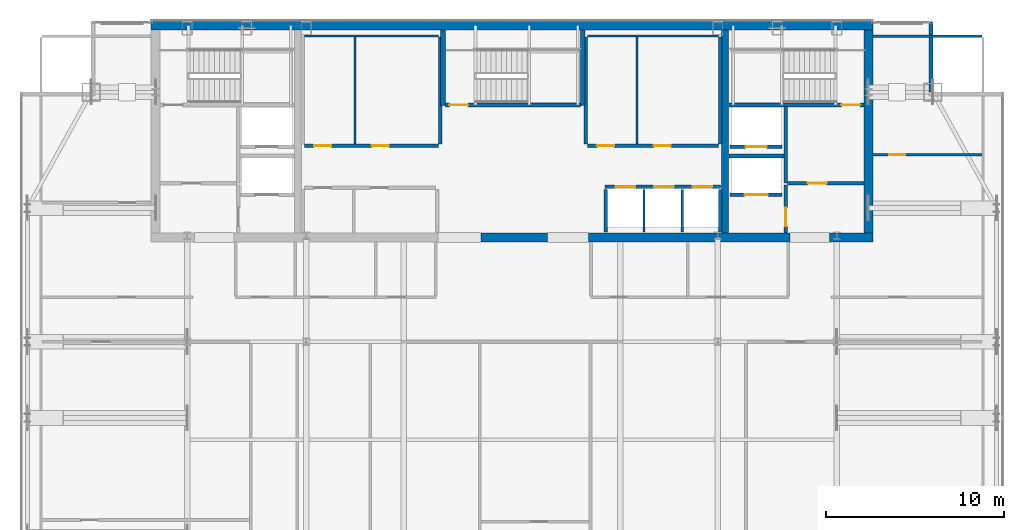
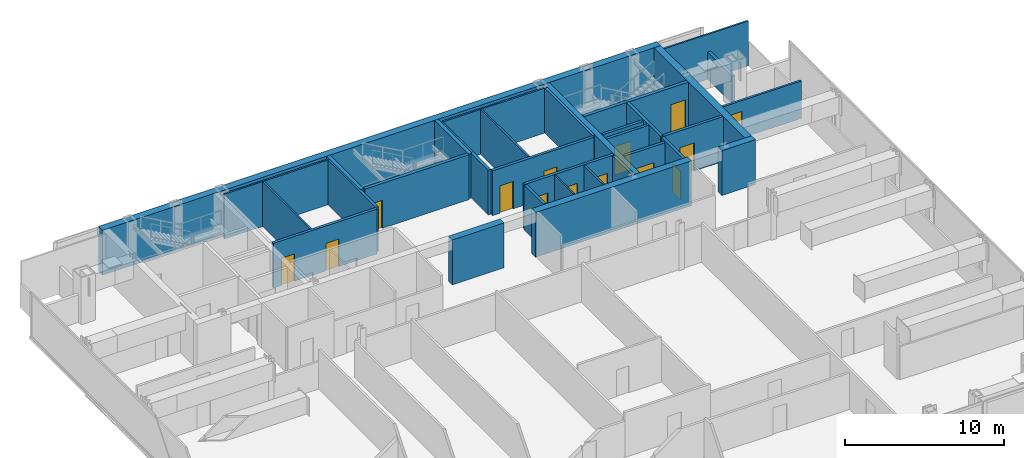
# One storey, part 23 of 26: 33 walls, 14 doors, 14 openings.
"""IFC4 building model written with IfcOpenShell, lengths in metres."""

from ifc_helpers import new_model, si_unit, direction, frame, frame_2d, origin, place, context, subcontext, project, spatial, rectangle, extrude, material, layer, layer_set, type_object, element, fill, save


model = new_model("IFC4")

# Units and contexts
model_context = context("Model", 3, precision=1e-05, world=origin(), true_north=direction((0.0, 1.0)))
body_context = subcontext(model_context, "Body", "Model", "MODEL_VIEW")
ifc_project = project(units=[si_unit("LENGTHUNIT", "METRE"), si_unit("AREAUNIT", "SQUARE_METRE"), si_unit("VOLUMEUNIT", "CUBIC_METRE"), si_unit("PLANEANGLEUNIT", "RADIAN"), si_unit("MASSUNIT", "GRAM", prefix="KILO")], contexts=[model_context])

# Site, building, storey
site_placement = place(None, origin())
site = spatial("IfcSite", under=ifc_project, at=site_placement, CompositionType="ELEMENT")
building_placement = place(site_placement, origin())
building = spatial("IfcBuilding", under=site, at=building_placement, Name="Khoronbel Lancet Exchange", CompositionType="ELEMENT")
storey_placement = place(building_placement, frame((0.0, 0.0, 287.800048828125)))
storey = spatial("IfcBuildingStorey", under=building, at=storey_placement, Name="L74", CompositionType="ELEMENT", Elevation=287.800048828125)

# Walls
ifc_material_1 = material(Name="Concrete C60/75", Category="concrete")
ifc_layer_1 = layer(ifc_material_1, 0.5, Name="Concrete C60/75")
ifc_layer_set_1 = layer_set([ifc_layer_1], Name="Concrete C60/75")
wall_type_1 = type_object("IfcWallType", Name="WL-CW4", PredefinedType="SHEAR", material=ifc_layer_set_1)
wall_1_placement = place(storey_placement, frame((16.199951171875, 53.449951171875, 0.0), z_axis=(0.0, 0.0, 1.0), x_axis=(1.0, 0.0, 0.0)))
element("IfcWall", 1, at=wall_1_placement, inside=storey, type_object=wall_type_1, Name="Level L74 rear core north shear wall", PredefinedType="SHEAR", context=body_context, shape_type="SweptSolid", body=[
    extrude(rectangle(XDim=40.5, YDim=0.5, at=frame_2d((20.25, 0.0))), origin(), (0.0, 0.0, 1.0), 3.43994140625),
])
wall_2_placement = place(storey_placement, frame((56.449951171875, 53.199951171875, 0.0), z_axis=(0.0, 0.0, 1.0), x_axis=(0.0, -1.0, 0.0)))
element("IfcWall", 2, at=wall_2_placement, inside=storey, type_object=wall_type_1, Name="Level L74 rear core east shear wall", PredefinedType="SHEAR", context=body_context, shape_type="SweptSolid", body=[
    extrude(rectangle(XDim=11.39990234375, YDim=0.5, at=frame_2d((5.699951171875, 0.0))), origin(), (0.0, 0.0, 1.0), 3.43994140625),
])
wall_3_placement = place(storey_placement, frame((38.449951171875, 41.550048828125, 0.0), z_axis=(0.0, 0.0, 1.0), x_axis=(-1.0, 0.0, 0.0)))
element("IfcWall", 3, at=wall_3_placement, inside=storey, type_object=wall_type_1, Name="Level L74 rear core south shear wall pier P3", PredefinedType="SHEAR", context=body_context, shape_type="SweptSolid", body=[
    extrude(rectangle(XDim=3.75, YDim=0.5, at=frame_2d((1.875, 0.0))), origin(), (0.0, 0.0, 1.0), 3.43994140625),
])
wall_4_placement = place(storey_placement, frame((52.050048828125, 41.550048828125, 0.0), z_axis=(0.0, 0.0, 1.0), x_axis=(-1.0, 0.0, 0.0)))
element("IfcWall", 4, at=wall_4_placement, inside=storey, type_object=wall_type_1, Name="Level L74 rear core south shear wall pier P4", PredefinedType="SHEAR", context=body_context, shape_type="SweptSolid", body=[
    extrude(rectangle(XDim=11.300048828125, YDim=0.5, at=frame_2d((5.64990234375, 0.0))), origin(), (0.0, 0.0, 1.0), 3.43994140625),
])
wall_5_placement = place(storey_placement, frame((56.699951171875, 41.550048828125, 0.0), z_axis=(0.0, 0.0, 1.0), x_axis=(-1.0, 0.0, 0.0)))
element("IfcWall", 5, at=wall_5_placement, inside=storey, type_object=wall_type_1, Name="Level L74 rear core south shear wall pier P5", PredefinedType="SHEAR", context=body_context, shape_type="SweptSolid", body=[
    extrude(rectangle(XDim=2.449951171875, YDim=0.5, at=frame_2d((1.22509765625, 0.0))), origin(), (0.0, 0.0, 1.0), 3.43994140625),
])
ifc_material_2 = material(Name="Precast concrete C40/50", Category="concrete")
ifc_layer_2 = layer(ifc_material_2, 0.25, Name="Precast concrete C40/50")
ifc_layer_set_2 = layer_set([ifc_layer_2], Name="Precast concrete C40/50")
wall_type_2 = type_object("IfcWallType", Name="WL-EXT250", PredefinedType="SOLIDWALL", material=ifc_layer_set_2)
wall_6_placement = place(storey_placement, frame((59.9599609375, 53.6298828125, 0.0), z_axis=(0.0, 0.0, 1.0), x_axis=(0.0, -1.0, 0.0)))
element("IfcWall", 6, at=wall_6_placement, inside=storey, type_object=wall_type_2, Name="Level L74 notched-corner limestone pier 07", PredefinedType="SOLIDWALL", context=body_context, shape_type="SweptSolid", body=[
    extrude(rectangle(XDim=3.909912109375, YDim=0.219970703125, at=frame_2d((1.955078125, 0.0))), origin(), (0.0, 0.0, 1.0), 2.08984375),
])

# Wall, opening, door
ifc_material_3 = material(Name="Acoustic Metal-Stud & Mineral-Wool Gypsum Partition 120 mm", Category="gypsum")
ifc_layer_3 = layer(ifc_material_3, 0.1201171875, Name="Acoustic Metal-Stud & Mineral-Wool Gypsum Partition 120 mm")
ifc_layer_set_3 = layer_set([ifc_layer_3], Name="Acoustic Metal-Stud & Mineral-Wool Gypsum Partition 120 mm")
wall_type_3 = type_object("IfcWallType", Name="WL-PRT120", PredefinedType="PARTITIONING", material=ifc_layer_set_3)
wall_7_placement = place(storey_placement, frame((56.699951171875, 46.199951171875, 0.0), z_axis=(0.0, 0.0, 1.0), x_axis=(1.0, 0.0, 0.0)))
wall_7 = element("IfcWall", 7, at=wall_7_placement, inside=storey, type_object=wall_type_3, Name="Level L74 interior partition PW-NE-H", PredefinedType="PARTITIONING", context=body_context, shape_type="SweptSolid", body=[
    extrude(rectangle(XDim=6.10498046875, YDim=0.14990234375, at=frame_2d((3.052490234375, 0.0))), origin(), (0.0, 0.0, 1.0), 2.8798828125),
])
opening_1_placement = place(wall_7_placement, frame((0.89990234375, 0.0, 0.0)))
opening_1 = element("IfcOpeningElement", 8, at=opening_1_placement, cuts=wall_7, Name="Opening D5", PredefinedType="OPENING", context=body_context, shape_type="SweptSolid", body=[
    extrude(rectangle(XDim=0.89990234375, YDim=2.050048828125, at=frame_2d((0.449951171875, 1.02490234375))), frame((0.0, 0.0849609375, 0.0), z_axis=(0.0, -1.0, 0.0), x_axis=(1.0, 0.0, 0.0)), (0.0, 0.0, 1.0), 0.169921875),
])
ifc_material_4 = material(Name="Acoustic Timber Pantry & Support Door", Category="wood")
door_type_1 = type_object("IfcDoorType", Name="DR-D5", OperationType="NOTDEFINED", PredefinedType="DOOR", material=ifc_material_4)
door_1_placement = place(opening_1_placement, origin())
door_1 = element("IfcDoor", 9, at=door_1_placement, inside=storey, type_object=door_type_1, Name="NE north room door L74-1", OperationType="SINGLE_SWING_RIGHT", OverallHeight=2.050048828125, OverallWidth=0.89990234375, PredefinedType="DOOR", context=body_context, shape_type="SweptSolid", body=[
    extrude(rectangle(XDim=0.89990234375, YDim=2.050048828125, at=frame_2d((0.449951171875, 1.02490234375))), frame((0.0, 0.02490234375, 0.0), z_axis=(0.0, -1.0, 0.0), x_axis=(1.0, 0.0, 0.0)), (0.0, 0.0, 1.0), 0.050048828125),
])
fill(opening_1, door_1)

# Walls
wall_8_placement = place(storey_placement, frame((56.699951171875, 52.840087890625, 0.0), z_axis=(0.0, 0.0, 1.0), x_axis=(1.0, 0.0, 0.0)))
element("IfcWall", 10, at=wall_8_placement, inside=storey, type_object=wall_type_3, Name="Level L74 interior partition PW-LIN-NE", PredefinedType="PARTITIONING", context=body_context, shape_type="SweptSolid", body=[
    extrude(rectangle(XDim=6.10498046875, YDim=0.1201171875, at=frame_2d((3.052490234375, 0.0))), origin(), (0.0, 0.0, 1.0), 3.43994140625),
])
ifc_material_5 = material(Name="Fire-Rated Metal-Stud & Mineral-Wool Gypsum Partition 120 mm", Category="gypsum")
ifc_layer_4 = layer(ifc_material_5, 0.1201171875, Name="Fire-Rated Metal-Stud & Mineral-Wool Gypsum Partition 120 mm")
ifc_layer_set_4 = layer_set([ifc_layer_4], Name="Fire-Rated Metal-Stud & Mineral-Wool Gypsum Partition 120 mm")
wall_type_4 = type_object("IfcWallType", Name="WL-PRT120F", PredefinedType="PARTITIONING", material=ifc_layer_set_4)
wall_9_placement = place(storey_placement, frame((24.804931640625, 52.860107421875, 0.0), z_axis=(0.0, 0.0, 1.0), x_axis=(1.0, 0.0, 0.0)))
element("IfcWall", 11, at=wall_9_placement, inside=storey, type_object=wall_type_4, Name="Level L74 interior partition CW-PL-RN", PredefinedType="PARTITIONING", context=body_context, shape_type="SweptSolid", body=[
    extrude(rectangle(XDim=7.510009765625, YDim=0.1201171875, at=frame_2d((3.7548828125, 0.0))), origin(), (0.0, 0.0, 1.0), 3.43994140625),
])
wall_10_placement = place(storey_placement, frame((27.633544921875, 46.804931640625, 0.0), z_axis=(0.0, 0.0, 1.0), x_axis=(0.0, 1.0, 0.0)))
element("IfcWall", 12, at=wall_10_placement, inside=storey, type_object=wall_type_4, Name="Level L74 interior partition CW-PL-RS1", PredefinedType="PARTITIONING", context=body_context, shape_type="SweptSolid", body=[
    extrude(rectangle(XDim=5.989990234375, YDim=0.1201171875, at=frame_2d((2.9951171875, 0.0))), origin(), (0.0, 0.0, 1.0), 3.43994140625),
])
wall_11_placement = place(storey_placement, frame((40.68505859375, 52.860107421875, 0.0), z_axis=(0.0, 0.0, 1.0), x_axis=(1.0, 0.0, 0.0)))
element("IfcWall", 13, at=wall_11_placement, inside=storey, type_object=wall_type_4, Name="Level L74 interior partition CW-PH-RN", PredefinedType="PARTITIONING", context=body_context, shape_type="SweptSolid", body=[
    extrude(rectangle(XDim=7.349853515625, YDim=0.1201171875, at=frame_2d((3.6748046875, 0.0))), origin(), (0.0, 0.0, 1.0), 3.43994140625),
])
wall_12_placement = place(storey_placement, frame((43.452880859375, 46.804931640625, 0.0), z_axis=(0.0, 0.0, 1.0), x_axis=(0.0, 1.0, 0.0)))
element("IfcWall", 14, at=wall_12_placement, inside=storey, type_object=wall_type_4, Name="Level L74 interior partition CW-PH-RS1", PredefinedType="PARTITIONING", context=body_context, shape_type="SweptSolid", body=[
    extrude(rectangle(XDim=5.989990234375, YDim=0.1201171875, at=frame_2d((2.9951171875, 0.0))), origin(), (0.0, 0.0, 1.0), 3.43994140625),
])
for number, where, z_axis, x_axis, name in (
    (15, (43.860107421875, 41.85009765625, 0.0), (0.0, 0.0, 1.0), (0.0, 1.0, 0.0), "Level L74 interior partition CW-PX-D1"),
    (16, (46.0, 41.85009765625, 0.0), (0.0, 0.0, 1.0), (0.0, 1.0, 0.0), "Level L74 interior partition CW-PX-D2"),
):
    element("IfcWall", number, at=place(storey_placement, frame(where, z_axis=z_axis, x_axis=x_axis)), inside=storey, type_object=wall_type_4, Name=name, PredefinedType="PARTITIONING", context=body_context, shape_type="SweptSolid", body=[
        extrude(rectangle(XDim=2.39990234375, YDim=0.1201171875, at=frame_2d((1.199951171875, 0.0))), origin(), (0.0, 0.0, 1.0), 3.43994140625),
    ])

# Wall, openings, doors
ifc_material_6 = material(Name="Autoclaved Aerated Concrete Blockwork 200 mm", Category="masonry")
ifc_layer_5 = layer(ifc_material_6, 0.199951171875, Name="Autoclaved Aerated Concrete Blockwork 200 mm")
ifc_layer_set_5 = layer_set([ifc_layer_5], Name="Autoclaved Aerated Concrete Blockwork 200 mm")
wall_type_5 = type_object("IfcWallType", Name="WL-PRT200", PredefinedType="PARTITIONING", material=ifc_layer_set_5)
wall_13_placement = place(storey_placement, frame((41.679931640625, 44.39990234375, 0.0), z_axis=(0.0, 0.0, 1.0), x_axis=(1.0, 0.0, 0.0)))
wall_13 = element("IfcWall", 17, at=wall_13_placement, inside=storey, type_object=wall_type_5, Name="Level L74 elevator hoistway landing front wall PXE", PredefinedType="PARTITIONING", context=body_context, shape_type="SweptSolid", body=[
    extrude(rectangle(XDim=6.47998046875, YDim=0.199951171875, at=frame_2d((3.239990234375, 0.0))), origin(), (0.0, 0.0, 1.0), 3.43994140625),
])
opening_2_placement = place(wall_13_placement, frame((0.580078125, 0.0, 0.0)))
opening_2 = element("IfcOpeningElement", 18, at=opening_2_placement, cuts=wall_13, Name="Opening LD-PX1", PredefinedType="OPENING", context=body_context, shape_type="SweptSolid", body=[
    extrude(rectangle(XDim=1.10009765625, YDim=2.179931640625, at=frame_2d((0.550048828125, 1.08984375))), frame((0.0, 0.10986328125, 0.0), z_axis=(0.0, -1.0, 0.0), x_axis=(1.0, 0.0, 0.0)), (0.0, 0.0, 1.0), 0.219970703125),
])
opening_3_placement = place(wall_13_placement, frame((2.739990234375, 0.0, 0.0)))
opening_3 = element("IfcOpeningElement", 19, at=opening_3_placement, cuts=wall_13, Name="Opening LD-PX2", PredefinedType="OPENING", context=body_context, shape_type="SweptSolid", body=[
    extrude(rectangle(XDim=1.10009765625, YDim=2.179931640625, at=frame_2d((0.550048828125, 1.08984375))), frame((0.0, 0.10986328125, 0.0), z_axis=(0.0, -1.0, 0.0), x_axis=(1.0, 0.0, 0.0)), (0.0, 0.0, 1.0), 0.219970703125),
])
opening_4_placement = place(wall_13_placement, frame((4.89990234375, 0.0, 0.0)))
opening_4 = element("IfcOpeningElement", 20, at=opening_4_placement, cuts=wall_13, Name="Opening LD-PX3", PredefinedType="OPENING", context=body_context, shape_type="SweptSolid", body=[
    extrude(rectangle(XDim=1.10009765625, YDim=2.179931640625, at=frame_2d((0.550048828125, 1.08984375))), frame((0.0, 0.10986328125, 0.0), z_axis=(0.0, -1.0, 0.0), x_axis=(1.0, 0.0, 0.0)), (0.0, 0.0, 1.0), 0.219970703125),
])
ifc_material_7 = material(Name="Brushed Bronze Bi-Parting Elevator Landing Door", Category="steel")
door_type_2 = type_object("IfcDoorType", Name="DR-LD-PAX", OperationType="NOTDEFINED", PredefinedType="DOOR", material=ifc_material_7)
door_2_placement = place(opening_2_placement, origin())
door_2 = element("IfcDoor", 21, at=door_2_placement, inside=storey, type_object=door_type_2, Name="Elevator landing sliding door LD-PX1 L74", OperationType="SLIDING_TO_LEFT", OverallHeight=2.179931640625, OverallWidth=1.10009765625, PredefinedType="DOOR", context=body_context, shape_type="SweptSolid", body=[
    extrude(rectangle(XDim=1.10009765625, YDim=2.179931640625, at=frame_2d((0.550048828125, 1.08984375))), frame((0.0, 0.02490234375, 0.0), z_axis=(0.0, -1.0, 0.0), x_axis=(1.0, 0.0, 0.0)), (0.0, 0.0, 1.0), 0.050048828125),
])
fill(opening_2, door_2)
door_3_placement = place(opening_3_placement, origin())
door_3 = element("IfcDoor", 22, at=door_3_placement, inside=storey, type_object=door_type_2, Name="Elevator landing sliding door LD-PX2 L74", OperationType="SLIDING_TO_LEFT", OverallHeight=2.179931640625, OverallWidth=1.10009765625, PredefinedType="DOOR", context=body_context, shape_type="SweptSolid", body=[
    extrude(rectangle(XDim=1.10009765625, YDim=2.179931640625, at=frame_2d((0.550048828125, 1.08984375))), frame((0.0, 0.02490234375, 0.0), z_axis=(0.0, -1.0, 0.0), x_axis=(1.0, 0.0, 0.0)), (0.0, 0.0, 1.0), 0.050048828125),
])
fill(opening_3, door_3)
door_4_placement = place(opening_4_placement, origin())
door_4 = element("IfcDoor", 23, at=door_4_placement, inside=storey, type_object=door_type_2, Name="Elevator landing sliding door LD-PX3 L74", OperationType="SLIDING_TO_LEFT", OverallHeight=2.179931640625, OverallWidth=1.10009765625, PredefinedType="DOOR", context=body_context, shape_type="SweptSolid", body=[
    extrude(rectangle(XDim=1.10009765625, YDim=2.179931640625, at=frame_2d((0.550048828125, 1.08984375))), frame((0.0, 0.02490234375, 0.0), z_axis=(0.0, -1.0, 0.0), x_axis=(1.0, 0.0, 0.0)), (0.0, 0.0, 1.0), 0.050048828125),
])
fill(opening_4, door_4)

# Wall, opening, door
wall_14_placement = place(storey_placement, frame((51.610107421875, 43.949951171875, 0.0), z_axis=(0.0, 0.0, 1.0), x_axis=(-1.0, 0.0, 0.0)))
wall_14 = element("IfcWall", 24, at=wall_14_placement, inside=storey, type_object=wall_type_5, Name="Level L74 elevator hoistway landing front wall SVLE", PredefinedType="PARTITIONING", context=body_context, shape_type="SweptSolid", body=[
    extrude(rectangle(XDim=2.920166015625, YDim=0.199951171875, at=frame_2d((1.4599609375, 0.0))), origin(), (0.0, 0.0, 1.0), 3.43994140625),
])
opening_5_placement = place(wall_14_placement, frame((0.81005859375, 0.0, 0.0)))
opening_5 = element("IfcOpeningElement", 25, at=opening_5_placement, cuts=wall_14, Name="Opening LD-SVL2", PredefinedType="OPENING", context=body_context, shape_type="SweptSolid", body=[
    extrude(rectangle(XDim=1.300048828125, YDim=2.179931640625, at=frame_2d((0.64990234375, 1.08984375))), frame((0.0, 0.10986328125, 0.0), z_axis=(0.0, -1.0, 0.0), x_axis=(1.0, 0.0, 0.0)), (0.0, 0.0, 1.0), 0.219970703125),
])
ifc_material_8 = material(Name="Heavy-Duty Bi-Parting Goods Lift Landing Door", Category="steel")
door_type_3 = type_object("IfcDoorType", Name="DR-LD-SVL", OperationType="NOTDEFINED", PredefinedType="DOOR", material=ifc_material_8)
door_5_placement = place(opening_5_placement, origin())
door_5 = element("IfcDoor", 26, at=door_5_placement, inside=storey, type_object=door_type_3, Name="Elevator landing sliding door LD-SVL2 L74", OperationType="SLIDING_TO_LEFT", OverallHeight=2.179931640625, OverallWidth=1.300048828125, PredefinedType="DOOR", context=body_context, shape_type="SweptSolid", body=[
    extrude(rectangle(XDim=1.300048828125, YDim=2.179931640625, at=frame_2d((0.64990234375, 1.08984375))), frame((0.0, 0.02490234375, 0.0), z_axis=(0.0, -1.0, 0.0), x_axis=(1.0, 0.0, 0.0)), (0.0, 0.0, 1.0), 0.050048828125),
])
fill(opening_5, door_5)

wall_15_placement = place(storey_placement, frame((51.610107421875, 46.64990234375, 0.0), z_axis=(0.0, 0.0, 1.0), x_axis=(-1.0, 0.0, 0.0)))
wall_15 = element("IfcWall", 27, at=wall_15_placement, inside=storey, type_object=wall_type_5, Name="Level L74 elevator hoistway landing front wall FFLE", PredefinedType="PARTITIONING", context=body_context, shape_type="SweptSolid", body=[
    extrude(rectangle(XDim=2.920166015625, YDim=0.199951171875, at=frame_2d((1.4599609375, 0.0))), origin(), (0.0, 0.0, 1.0), 3.43994140625),
])
opening_6_placement = place(wall_15_placement, frame((0.860107421875, 0.0, 0.0)))
opening_6 = element("IfcOpeningElement", 28, at=opening_6_placement, cuts=wall_15, Name="Opening LD-FFL2", PredefinedType="OPENING", context=body_context, shape_type="SweptSolid", body=[
    extrude(rectangle(XDim=1.199951171875, YDim=2.179931640625, at=frame_2d((0.60009765625, 1.08984375))), frame((0.0, 0.10986328125, 0.0), z_axis=(0.0, -1.0, 0.0), x_axis=(1.0, 0.0, 0.0)), (0.0, 0.0, 1.0), 0.219970703125),
])
ifc_material_9 = material(Name="Fire-Rated Stainless Bi-Parting Firefighting Lift Door", Category="steel")
door_type_4 = type_object("IfcDoorType", Name="DR-LD-FFL", OperationType="NOTDEFINED", PredefinedType="DOOR", material=ifc_material_9)
door_6_placement = place(opening_6_placement, origin())
door_6 = element("IfcDoor", 29, at=door_6_placement, inside=storey, type_object=door_type_4, Name="Elevator landing sliding door LD-FFL2 L74", OperationType="SLIDING_TO_LEFT", OverallHeight=2.179931640625, OverallWidth=1.199951171875, PredefinedType="DOOR", context=body_context, shape_type="SweptSolid", body=[
    extrude(rectangle(XDim=1.199951171875, YDim=2.179931640625, at=frame_2d((0.60009765625, 1.08984375))), frame((0.0, 0.02490234375, 0.0), z_axis=(0.0, -1.0, 0.0), x_axis=(1.0, 0.0, 0.0)), (0.0, 0.0, 1.0), 0.050048828125),
])
fill(opening_6, door_6)

# Wall
wall_16_placement = place(storey_placement, frame((51.800048828125, 44.60009765625, 0.0), z_axis=(0.0, 0.0, 1.0), x_axis=(0.0, 1.0, 0.0)))
element("IfcWall", 30, at=wall_16_placement, inside=storey, type_object=wall_type_5, Name="Level L74 interior partition CW-FFLE-W", PredefinedType="PARTITIONING", context=body_context, shape_type="SweptSolid", body=[
    extrude(rectangle(XDim=4.2998046875, YDim=0.199951171875, at=frame_2d((2.14990234375, 0.0))), origin(), (0.0, 0.0, 1.0), 3.43994140625),
])

# Wall, opening, door
wall_17_placement = place(storey_placement, frame((51.89990234375, 44.60009765625, 0.0), z_axis=(0.0, 0.0, 1.0), x_axis=(1.0, 0.0, 0.0)))
wall_17 = element("IfcWall", 31, at=wall_17_placement, inside=storey, type_object=wall_type_5, Name="Level L74 interior partition CW-FFLE-S", PredefinedType="PARTITIONING", context=body_context, shape_type="SweptSolid", body=[
    extrude(rectangle(XDim=4.300048828125, YDim=0.199951171875, at=frame_2d((2.14990234375, 0.0))), origin(), (0.0, 0.0, 1.0), 3.43994140625),
])
opening_7_placement = place(wall_17_placement, frame((1.14990234375, 0.0, 0.0)))
opening_7 = element("IfcOpeningElement", 32, at=opening_7_placement, cuts=wall_17, Name="Opening FD1", PredefinedType="OPENING", context=body_context, shape_type="SweptSolid", body=[
    extrude(rectangle(XDim=1.050048828125, YDim=2.14990234375, at=frame_2d((0.52490234375, 1.074951171875))), frame((0.0, 0.10986328125, 0.0), z_axis=(0.0, -1.0, 0.0), x_axis=(1.0, 0.0, 0.0)), (0.0, 0.0, 1.0), 0.219970703125),
])
ifc_material_10 = material(Name="Fire-Rated Painted Steel Door Assembly", Category="steel")
door_type_5 = type_object("IfcDoorType", Name="DR-FD1", OperationType="NOTDEFINED", PredefinedType="DOOR", material=ifc_material_10)
door_7_placement = place(opening_7_placement, origin())
door_7 = element("IfcDoor", 33, at=door_7_placement, inside=storey, type_object=door_type_5, Name="East firefighting lobby FD90S door L74-1", OperationType="SINGLE_SWING_RIGHT", OverallHeight=2.14990234375, OverallWidth=1.050048828125, PredefinedType="DOOR", context=body_context, shape_type="SweptSolid", body=[
    extrude(rectangle(XDim=1.050048828125, YDim=2.14990234375, at=frame_2d((0.52490234375, 1.074951171875))), frame((0.0, 0.02490234375, 0.0), z_axis=(0.0, -1.0, 0.0), x_axis=(1.0, 0.0, 0.0)), (0.0, 0.0, 1.0), 0.050048828125),
])
fill(opening_7, door_7)

# Wall
wall_18_placement = place(storey_placement, frame((48.6298828125, 46.1201171875, 0.0), z_axis=(0.0, 0.0, 1.0), x_axis=(1.0, 0.0, 0.0)))
element("IfcWall", 34, at=wall_18_placement, inside=storey, type_object=wall_type_5, Name="Level L74 interior partition CW-FFL2-S", PredefinedType="PARTITIONING", context=body_context, shape_type="SweptSolid", body=[
    extrude(rectangle(XDim=3.070068359375, YDim=0.199951171875, at=frame_2d((1.53515625, 0.0))), origin(), (0.0, 0.0, 1.0), 3.43994140625),
])

# Wall, opening, door
wall_19_placement = place(storey_placement, frame((51.800048828125, 41.800048828125, 0.0), z_axis=(0.0, 0.0, 1.0), x_axis=(0.0, 1.0, 0.0)))
wall_19 = element("IfcWall", 35, at=wall_19_placement, inside=storey, type_object=wall_type_5, Name="Level L74 interior partition CW-SVLE-E", PredefinedType="PARTITIONING", context=body_context, shape_type="SweptSolid", body=[
    extrude(rectangle(XDim=2.695068359375, YDim=0.199951171875, at=frame_2d((1.34765625, 0.0))), origin(), (0.0, 0.0, 1.0), 3.43994140625),
])
opening_8_placement = place(wall_19_placement, frame((0.3798828125, 0.0, 0.0)))
opening_8 = element("IfcOpeningElement", 36, at=opening_8_placement, cuts=wall_19, Name="Opening FD1", PredefinedType="OPENING", context=body_context, shape_type="SweptSolid", body=[
    extrude(rectangle(XDim=1.050048828125, YDim=2.14990234375, at=frame_2d((0.52490234375, 1.074951171875))), frame((0.0, 0.10986328125, 0.0), z_axis=(0.0, -1.0, 0.0), x_axis=(1.0, 0.0, 0.0)), (0.0, 0.0, 1.0), 0.219970703125),
])
door_8_placement = place(opening_8_placement, origin())
door_8 = element("IfcDoor", 37, at=door_8_placement, inside=storey, type_object=door_type_5, Name="East service lift lobby door L74-1", OperationType="SINGLE_SWING_LEFT", OverallHeight=2.14990234375, OverallWidth=1.050048828125, PredefinedType="DOOR", context=body_context, shape_type="SweptSolid", body=[
    extrude(rectangle(XDim=1.050048828125, YDim=2.14990234375, at=frame_2d((0.52490234375, 1.074951171875))), frame((0.0, 0.02490234375, 0.0), z_axis=(0.0, -1.0, 0.0), x_axis=(1.0, 0.0, 0.0)), (0.0, 0.0, 1.0), 0.050048828125),
])
fill(opening_8, door_8)

# Wall
wall_20_placement = place(storey_placement, frame((32.419921875, 46.804931640625, 0.0), z_axis=(0.0, 0.0, 1.0), x_axis=(0.0, 1.0, 0.0)))
element("IfcWall", 38, at=wall_20_placement, inside=storey, type_object=wall_type_5, Name="Level L74 interior partition CW-PL-RE", PredefinedType="PARTITIONING", context=body_context, shape_type="SweptSolid", body=[
    extrude(rectangle(XDim=5.989990234375, YDim=0.199951171875, at=frame_2d((2.9951171875, 0.0))), origin(), (0.0, 0.0, 1.0), 3.43994140625),
])

# Wall, openings, doors
wall_21_placement = place(storey_placement, frame((24.804931640625, 46.699951171875, 0.0), z_axis=(0.0, 0.0, 1.0), x_axis=(1.0, 0.0, 0.0)))
wall_21 = element("IfcWall", 39, at=wall_21_placement, inside=storey, type_object=wall_type_5, Name="Level L74 interior partition CW-PL-RF", PredefinedType="PARTITIONING", context=body_context, shape_type="SweptSolid", body=[
    extrude(rectangle(XDim=7.510009765625, YDim=0.199951171875, at=frame_2d((3.7548828125, 0.0))), origin(), (0.0, 0.0, 1.0), 3.43994140625),
])
opening_9_placement = place(wall_21_placement, frame((0.550048828125, 0.0, 0.0)))
opening_9 = element("IfcOpeningElement", 40, at=opening_9_placement, cuts=wall_21, Name="Opening FD3", PredefinedType="OPENING", context=body_context, shape_type="SweptSolid", body=[
    extrude(rectangle(XDim=0.949951171875, YDim=2.10009765625, at=frame_2d((0.47509765625, 1.050048828125))), frame((0.0, 0.10986328125, 0.0), z_axis=(0.0, -1.0, 0.0), x_axis=(1.0, 0.0, 0.0)), (0.0, 0.0, 1.0), 0.219970703125),
])
opening_10_placement = place(wall_21_placement, frame((3.78369140625, 0.0, 0.0)))
opening_10 = element("IfcOpeningElement", 41, at=opening_10_placement, cuts=wall_21, Name="Opening FD3", PredefinedType="OPENING", context=body_context, shape_type="SweptSolid", body=[
    extrude(rectangle(XDim=0.949951171875, YDim=2.10009765625, at=frame_2d((0.47509765625, 1.050048828125))), frame((0.0, 0.10986328125, 0.0), z_axis=(0.0, -1.0, 0.0), x_axis=(1.0, 0.0, 0.0)), (0.0, 0.0, 1.0), 0.219970703125),
])
ifc_material_11 = material(Name="Fire-Rated Steel Plant & Riser Door Assembly", Category="steel")
door_type_6 = type_object("IfcDoorType", Name="DR-FD3", OperationType="NOTDEFINED", PredefinedType="DOOR", material=ifc_material_11)
door_9_placement = place(opening_9_placement, origin())
door_9 = element("IfcDoor", 42, at=door_9_placement, inside=storey, type_object=door_type_6, Name="Reclaimed PL A door L74-1", OperationType="SINGLE_SWING_RIGHT", OverallHeight=2.10009765625, OverallWidth=0.949951171875, PredefinedType="DOOR", context=body_context, shape_type="SweptSolid", body=[
    extrude(rectangle(XDim=0.949951171875, YDim=2.10009765625, at=frame_2d((0.47509765625, 1.050048828125))), frame((0.0, 0.02490234375, 0.0), z_axis=(0.0, -1.0, 0.0), x_axis=(1.0, 0.0, 0.0)), (0.0, 0.0, 1.0), 0.050048828125),
])
fill(opening_9, door_9)
door_10_placement = place(opening_10_placement, origin())
door_10 = element("IfcDoor", 43, at=door_10_placement, inside=storey, type_object=door_type_6, Name="Reclaimed PL B door L74-2", OperationType="SINGLE_SWING_LEFT", OverallHeight=2.10009765625, OverallWidth=0.949951171875, PredefinedType="DOOR", context=body_context, shape_type="SweptSolid", body=[
    extrude(rectangle(XDim=0.949951171875, YDim=2.10009765625, at=frame_2d((0.47509765625, 1.050048828125))), frame((0.0, 0.02490234375, 0.0), z_axis=(0.0, -1.0, 0.0), x_axis=(1.0, 0.0, 0.0)), (0.0, 0.0, 1.0), 0.050048828125),
])
fill(opening_10, door_10)

# Walls
for number, where, z_axis, x_axis, name in (
    (44, (40.580078125, 46.804931640625, 0.0), (0.0, 0.0, 1.0), (0.0, 1.0, 0.0), "Level L74 interior partition CW-PH-RW"),
    (45, (48.139892578125, 46.804931640625, 0.0), (0.0, 0.0, 1.0), (0.0, 1.0, 0.0), "Level L74 interior partition CW-PH-RE"),
):
    element("IfcWall", number, at=place(storey_placement, frame(where, z_axis=z_axis, x_axis=x_axis)), inside=storey, type_object=wall_type_5, Name=name, PredefinedType="PARTITIONING", context=body_context, shape_type="SweptSolid", body=[
        extrude(rectangle(XDim=5.989990234375, YDim=0.199951171875, at=frame_2d((2.9951171875, 0.0))), origin(), (0.0, 0.0, 1.0), 3.43994140625),
    ])

# Wall, openings, doors
wall_22_placement = place(storey_placement, frame((40.68505859375, 46.699951171875, 0.0), z_axis=(0.0, 0.0, 1.0), x_axis=(1.0, 0.0, 0.0)))
wall_22 = element("IfcWall", 46, at=wall_22_placement, inside=storey, type_object=wall_type_5, Name="Level L74 interior partition CW-PH-RF", PredefinedType="PARTITIONING", context=body_context, shape_type="SweptSolid", body=[
    extrude(rectangle(XDim=7.349853515625, YDim=0.199951171875, at=frame_2d((3.6748046875, 0.0))), origin(), (0.0, 0.0, 1.0), 3.43994140625),
])
opening_11_placement = place(wall_22_placement, frame((0.550048828125, 0.0, 0.0)))
opening_11 = element("IfcOpeningElement", 47, at=opening_11_placement, cuts=wall_22, Name="Opening FD3", PredefinedType="OPENING", context=body_context, shape_type="SweptSolid", body=[
    extrude(rectangle(XDim=0.949951171875, YDim=2.10009765625, at=frame_2d((0.47509765625, 1.050048828125))), frame((0.0, 0.10986328125, 0.0), z_axis=(0.0, -1.0, 0.0), x_axis=(1.0, 0.0, 0.0)), (0.0, 0.0, 1.0), 0.219970703125),
])
opening_12_placement = place(wall_22_placement, frame((3.722900390625, 0.0, 0.0)))
opening_12 = element("IfcOpeningElement", 48, at=opening_12_placement, cuts=wall_22, Name="Opening FD3", PredefinedType="OPENING", context=body_context, shape_type="SweptSolid", body=[
    extrude(rectangle(XDim=0.949951171875, YDim=2.10009765625, at=frame_2d((0.47509765625, 1.050048828125))), frame((0.0, 0.10986328125, 0.0), z_axis=(0.0, -1.0, 0.0), x_axis=(1.0, 0.0, 0.0)), (0.0, 0.0, 1.0), 0.219970703125),
])
door_11_placement = place(opening_11_placement, origin())
door_11 = element("IfcDoor", 49, at=door_11_placement, inside=storey, type_object=door_type_6, Name="Reclaimed PH A door L74-1", OperationType="SINGLE_SWING_RIGHT", OverallHeight=2.10009765625, OverallWidth=0.949951171875, PredefinedType="DOOR", context=body_context, shape_type="SweptSolid", body=[
    extrude(rectangle(XDim=0.949951171875, YDim=2.10009765625, at=frame_2d((0.47509765625, 1.050048828125))), frame((0.0, 0.02490234375, 0.0), z_axis=(0.0, -1.0, 0.0), x_axis=(1.0, 0.0, 0.0)), (0.0, 0.0, 1.0), 0.050048828125),
])
fill(opening_11, door_11)
door_12_placement = place(opening_12_placement, origin())
door_12 = element("IfcDoor", 50, at=door_12_placement, inside=storey, type_object=door_type_6, Name="Reclaimed PH B door L74-2", OperationType="SINGLE_SWING_LEFT", OverallHeight=2.10009765625, OverallWidth=0.949951171875, PredefinedType="DOOR", context=body_context, shape_type="SweptSolid", body=[
    extrude(rectangle(XDim=0.949951171875, YDim=2.10009765625, at=frame_2d((0.47509765625, 1.050048828125))), frame((0.0, 0.02490234375, 0.0), z_axis=(0.0, -1.0, 0.0), x_axis=(1.0, 0.0, 0.0)), (0.0, 0.0, 1.0), 0.050048828125),
])
fill(opening_12, door_12)

# Walls
for number, where, z_axis, x_axis, name in (
    (51, (41.719970703125, 41.85009765625, 0.0), (0.0, 0.0, 1.0), (0.0, 1.0, 0.0), "Level L74 interior partition CW-PX-W"),
    (52, (48.139892578125, 41.85009765625, 0.0), (0.0, 0.0, 1.0), (0.0, 1.0, 0.0), "Level L74 interior partition CW-PX-E"),
):
    element("IfcWall", number, at=place(storey_placement, frame(where, z_axis=z_axis, x_axis=x_axis)), inside=storey, type_object=wall_type_5, Name=name, PredefinedType="PARTITIONING", context=body_context, shape_type="SweptSolid", body=[
        extrude(rectangle(XDim=2.39990234375, YDim=0.199951171875, at=frame_2d((1.199951171875, 0.0))), origin(), (0.0, 0.0, 1.0), 3.43994140625),
    ])
ifc_layer_6 = layer(ifc_material_1, 0.39990234375, Name="Concrete C60/75")
ifc_layer_set_6 = layer_set([ifc_layer_6], Name="Concrete C60/75")
wall_type_6 = type_object("IfcWallType", Name="WL-SW2", PredefinedType="SHEAR", material=ifc_layer_set_6)
wall_23_placement = place(storey_placement, frame((48.39990234375, 41.800048828125, 0.0), z_axis=(0.0, 0.0, 1.0), x_axis=(0.0, 1.0, 0.0)))
element("IfcWall", 53, at=wall_23_placement, inside=storey, type_object=wall_type_6, Name="Level L74 rear core internal spine shear wall IE", PredefinedType="SHEAR", context=body_context, shape_type="SweptSolid", body=[
    extrude(rectangle(XDim=11.39990234375, YDim=0.39990234375, at=frame_2d((5.699951171875, 0.0))), origin(), (0.0, 0.0, 1.0), 3.43994140625),
])
ifc_layer_7 = layer(ifc_material_1, 0.260009765625, Name="Concrete C60/75")
ifc_layer_set_7 = layer_set([ifc_layer_7], Name="Concrete C60/75")
wall_type_7 = type_object("IfcWallType", Name="WL-SW3", PredefinedType="SHEAR", material=ifc_layer_set_7)
for number, where, z_axis, x_axis, name in (
    (54, (32.580078125, 48.949951171875, 0.0), (0.0, 0.0, 1.0), (0.0, 1.0, 0.0), "Level L74 central stairwell structural shear wall ST3W"),
    (55, (40.419921875, 48.949951171875, 0.0), (0.0, 0.0, 1.0), (0.0, 1.0, 0.0), "Level L74 central stairwell structural shear wall ST3E"),
):
    element("IfcWall", number, at=place(storey_placement, frame(where, z_axis=z_axis, x_axis=x_axis)), inside=storey, type_object=wall_type_7, Name=name, PredefinedType="SHEAR", context=body_context, shape_type="SweptSolid", body=[
        extrude(rectangle(XDim=4.25, YDim=0.260009765625, at=frame_2d((2.125, 0.0))), origin(), (0.0, 0.0, 1.0), 3.43994140625),
    ])

# Wall, opening, door
wall_24_placement = place(storey_placement, frame((48.6298828125, 48.97998046875, 0.0), z_axis=(0.0, 0.0, 1.0), x_axis=(1.0, 0.0, 0.0)))
wall_24 = element("IfcWall", 56, at=wall_24_placement, inside=storey, type_object=wall_type_7, Name="Level L74 east stairwell structural south wall", PredefinedType="SHEAR", context=body_context, shape_type="SweptSolid", body=[
    extrude(rectangle(XDim=7.570068359375, YDim=0.239990234375, at=frame_2d((3.78515625, 0.0))), origin(), (0.0, 0.0, 1.0), 3.43994140625),
])
opening_13_placement = place(wall_24_placement, frame((6.300048828125, 0.0, 0.0)))
opening_13 = element("IfcOpeningElement", 57, at=opening_13_placement, cuts=wall_24, Name="Opening SD1", PredefinedType="OPENING", context=body_context, shape_type="SweptSolid", body=[
    extrude(rectangle(XDim=1.050048828125, YDim=2.14990234375, at=frame_2d((0.52490234375, 1.074951171875))), frame((0.0, 0.1298828125, 0.0), z_axis=(0.0, -1.0, 0.0), x_axis=(1.0, 0.0, 0.0)), (0.0, 0.0, 1.0), 0.260009765625),
])
ifc_material_12 = material(Name="Fire-Rated Steel Stairwell Door Assembly", Category="steel")
door_type_7 = type_object("IfcDoorType", Name="DR-SD1", OperationType="NOTDEFINED", PredefinedType="DOOR", material=ifc_material_12)
door_13_placement = place(opening_13_placement, origin())
door_13 = element("IfcDoor", 58, at=door_13_placement, inside=storey, type_object=door_type_7, Name="Protected exit stair ST2 door L74", OperationType="SINGLE_SWING_RIGHT", OverallHeight=2.14990234375, OverallWidth=1.050048828125, PredefinedType="DOOR", context=body_context, shape_type="SweptSolid", body=[
    extrude(rectangle(XDim=1.050048828125, YDim=2.14990234375, at=frame_2d((0.52490234375, 1.074951171875))), frame((0.0, 0.02490234375, 0.0), z_axis=(0.0, -1.0, 0.0), x_axis=(1.0, 0.0, 0.0)), (0.0, 0.0, 1.0), 0.050048828125),
])
fill(opening_13, door_13)

wall_25_placement = place(storey_placement, frame((32.719970703125, 48.97998046875, 0.0), z_axis=(0.0, 0.0, 1.0), x_axis=(1.0, 0.0, 0.0)))
wall_25 = element("IfcWall", 59, at=wall_25_placement, inside=storey, type_object=wall_type_7, Name="Level L74 central stairwell structural south wall", PredefinedType="SHEAR", context=body_context, shape_type="SweptSolid", body=[
    extrude(rectangle(XDim=7.56005859375, YDim=0.239990234375, at=frame_2d((3.780029296875, 0.0))), origin(), (0.0, 0.0, 1.0), 3.43994140625),
])
opening_14_placement = place(wall_25_placement, frame((0.219970703125, 0.0, 0.0)))
opening_14 = element("IfcOpeningElement", 60, at=opening_14_placement, cuts=wall_25, Name="Opening SD1", PredefinedType="OPENING", context=body_context, shape_type="SweptSolid", body=[
    extrude(rectangle(XDim=1.050048828125, YDim=2.14990234375, at=frame_2d((0.52490234375, 1.074951171875))), frame((0.0, 0.1298828125, 0.0), z_axis=(0.0, -1.0, 0.0), x_axis=(1.0, 0.0, 0.0)), (0.0, 0.0, 1.0), 0.260009765625),
])
door_14_placement = place(opening_14_placement, origin())
door_14 = element("IfcDoor", 61, at=door_14_placement, inside=storey, type_object=door_type_7, Name="Protected exit stair ST3 door L74", OperationType="SINGLE_SWING_LEFT", OverallHeight=2.14990234375, OverallWidth=1.050048828125, PredefinedType="DOOR", context=body_context, shape_type="SweptSolid", body=[
    extrude(rectangle(XDim=1.050048828125, YDim=2.14990234375, at=frame_2d((0.52490234375, 1.074951171875))), frame((0.0, 0.02490234375, 0.0), z_axis=(0.0, -1.0, 0.0), x_axis=(1.0, 0.0, 0.0)), (0.0, 0.0, 1.0), 0.050048828125),
])
fill(opening_14, door_14)

save(model, "model.ifc")
